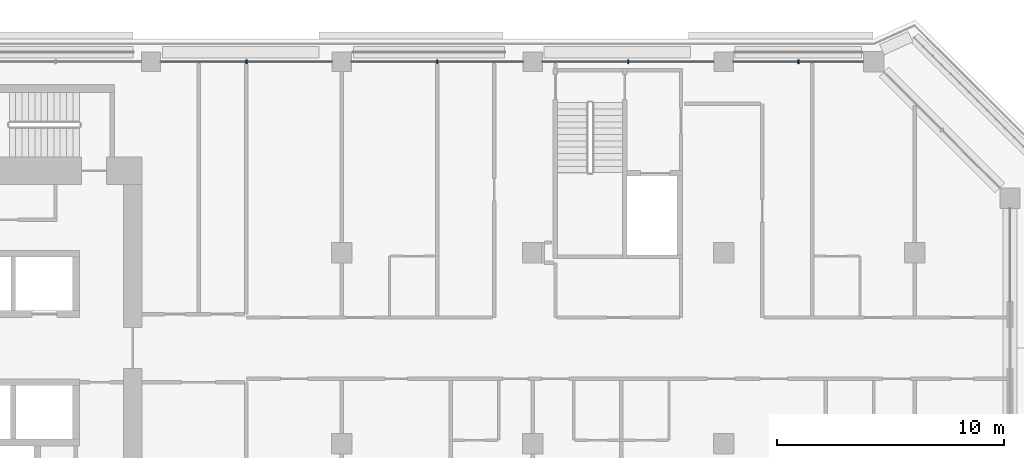
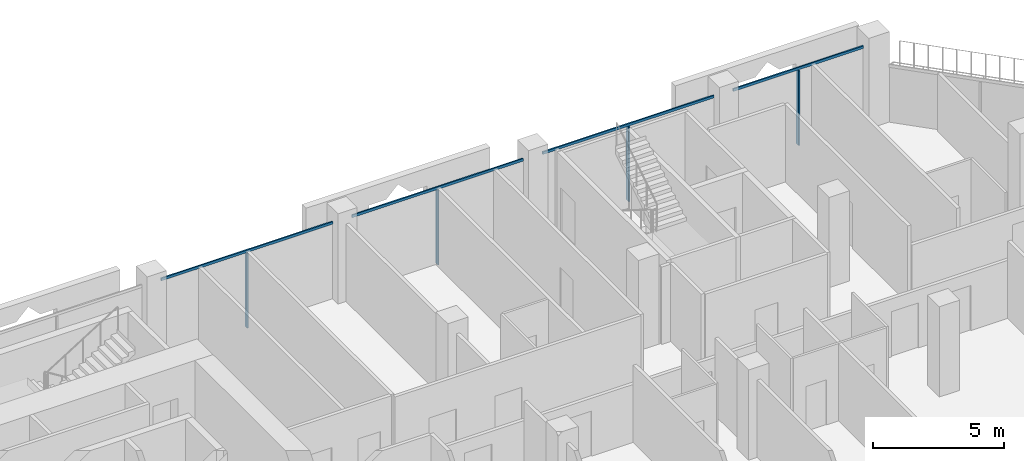
# One storey, part 6 of 22: 8 members, 1 element without a shape of its own.
"""IFC4 building model written with IfcOpenShell, lengths in metres."""

from ifc_helpers import new_model, si_unit, direction, frame, origin, origin_2d, place, context, subcontext, project, spatial, rectangle, extrude, material, layer, layer_set, material_profile, profile_set, type_object, element, aggregate, save


model = new_model("IFC4")

# Units and contexts
model_context = context("Model", 3, precision=1e-05, world=origin(), true_north=direction((0.0, 1.0)))
body_context = subcontext(model_context, "Body", "Model", "MODEL_VIEW")
ifc_project = project(units=[si_unit("LENGTHUNIT", "METRE"), si_unit("AREAUNIT", "SQUARE_METRE"), si_unit("VOLUMEUNIT", "CUBIC_METRE"), si_unit("PLANEANGLEUNIT", "RADIAN"), si_unit("MASSUNIT", "GRAM", prefix="KILO")], contexts=[model_context])

# Site, building, storey
site_placement = place(None, origin())
site = spatial("IfcSite", under=ifc_project, at=site_placement, CompositionType="ELEMENT")
building_placement = place(site_placement, origin())
building = spatial("IfcBuilding", under=site, at=building_placement, Name="Kawkab Arch Medical Tower", CompositionType="ELEMENT")
storey_placement = place(building_placement, frame((0.0, 0.0, 251.60009765625)))
storey = spatial("IfcBuildingStorey", under=building, at=storey_placement, Name="L58", CompositionType="ELEMENT", Elevation=251.60009765625)

# Curtain wall, members
ifc_material_1 = material(Name="Bronze anodised aluminium curtain wall frame", Category="aluminium")
ifc_layer = layer(ifc_material_1, 0.159912109375)
ifc_layer_set = layer_set([ifc_layer], Name="Bronze anodised aluminium curtain wall frame")
curtain_wall_type = type_object("IfcCurtainWallType", Name="CW1 ward curtain wall", PredefinedType="NOTDEFINED", material=ifc_layer_set)
curtain_wall_placement = place(storey_placement, origin())
curtain_wall = element("IfcCurtainWall", 1, at=curtain_wall_placement, inside=storey, type_object=curtain_wall_type, Name="CW1 Ward curtain wall R11", PredefinedType="NOTDEFINED")
ifc_material_2 = material(Name="Bronze anodised aluminium curtain wall frame", Category="aluminium")
ifc_material_profile_1 = material_profile(ifc_material_2, rectangle(XDim=0.179931640625, YDim=0.06005859375, at=origin_2d()), Name="AL 60x180")
ifc_profile_set_1 = profile_set([ifc_material_profile_1], Name="Bronze anodised aluminium curtain wall frame")
member_type_1 = type_object("IfcMemberType", Name="CW1 mullion 60 x 180", PredefinedType="MULLION", material=ifc_profile_set_1)
member_1_placement = place(storey_placement, frame((53.6875, 0.0, 0.0), z_axis=(0.0, 0.0, 1.0), x_axis=(0.0, -1.0, 0.0)))
member_1 = element("IfcMember", 2, at=member_1_placement, type_object=member_type_1, Name="CW1 mullion 1.1", PredefinedType="MULLION", context=body_context, shape_type="SweptSolid", body=[
    extrude(rectangle(XDim=0.179931640625, YDim=0.06005859375, at=origin_2d()), origin(), (0.0, 0.0, 1.0), 3.47998046875),
])
member_2_placement = place(storey_placement, frame((46.199951171875, 0.0, 0.0), z_axis=(0.0, 0.0, 1.0), x_axis=(0.0, -1.0, 0.0)))
member_2 = element("IfcMember", 3, at=member_2_placement, type_object=member_type_1, Name="CW1 mullion 2.1", PredefinedType="MULLION", context=body_context, shape_type="SweptSolid", body=[
    extrude(rectangle(XDim=0.179931640625, YDim=0.06005859375, at=origin_2d()), origin(), (0.0, 0.0, 1.0), 3.47998046875),
])
member_3_placement = place(storey_placement, frame((37.800048828125, 0.0, 0.0), z_axis=(0.0, 0.0, 1.0), x_axis=(0.0, -1.0, 0.0)))
member_3 = element("IfcMember", 4, at=member_3_placement, type_object=member_type_1, Name="CW1 mullion 3.1", PredefinedType="MULLION", context=body_context, shape_type="SweptSolid", body=[
    extrude(rectangle(XDim=0.179931640625, YDim=0.06005859375, at=origin_2d()), origin(), (0.0, 0.0, 1.0), 3.47998046875),
])
member_4_placement = place(storey_placement, frame((29.39990234375, 0.0, 0.0), z_axis=(0.0, 0.0, 1.0), x_axis=(0.0, -1.0, 0.0)))
member_4 = element("IfcMember", 5, at=member_4_placement, type_object=member_type_1, Name="CW1 mullion 4.1", PredefinedType="MULLION", context=body_context, shape_type="SweptSolid", body=[
    extrude(rectangle(XDim=0.179931640625, YDim=0.06005859375, at=origin_2d()), origin(), (0.0, 0.0, 1.0), 3.47998046875),
])
ifc_material_3 = material(Name="Bronze anodised aluminium curtain wall frame", Category="aluminium")
ifc_material_profile_2 = material_profile(ifc_material_3, rectangle(XDim=0.06005859375, YDim=0.1201171875, at=origin_2d()), Name="AL 60x120")
ifc_profile_set_2 = profile_set([ifc_material_profile_2], Name="Bronze anodised aluminium curtain wall frame")
member_type_2 = type_object("IfcMemberType", Name="CW1 transom 120 x 60", PredefinedType="USERDEFINED", material=ifc_profile_set_2)
member_5_placement = place(storey_placement, frame((56.550048828125, 0.0, 3.539794921875), z_axis=(-1.0, 0.0, 0.0), x_axis=(0.0, -1.0, 0.0)))
member_5 = element("IfcMember", 6, at=member_5_placement, type_object=member_type_2, Name="CW1 transom 1", ObjectType="TRANSOM", PredefinedType="USERDEFINED", context=body_context, shape_type="SweptSolid", body=[
    extrude(rectangle(XDim=0.06005859375, YDim=0.1201171875, at=origin_2d()), origin(), (0.0, 0.0, 1.0), 5.72509765625),
])
member_6_placement = place(storey_placement, frame((49.97509765625, 0.0, 3.539794921875), z_axis=(-1.0, 0.0, 0.0), x_axis=(0.0, -1.0, 0.0)))
member_6 = element("IfcMember", 7, at=member_6_placement, type_object=member_type_2, Name="CW1 transom 2", ObjectType="TRANSOM", PredefinedType="USERDEFINED", context=body_context, shape_type="SweptSolid", body=[
    extrude(rectangle(XDim=0.06005859375, YDim=0.1201171875, at=origin_2d()), origin(), (0.0, 0.0, 1.0), 7.550048828125),
])
member_7_placement = place(storey_placement, frame((41.574951171875, 0.0, 3.539794921875), z_axis=(-1.0, 0.0, 0.0), x_axis=(0.0, -1.0, 0.0)))
member_7 = element("IfcMember", 8, at=member_7_placement, type_object=member_type_2, Name="CW1 transom 3", ObjectType="TRANSOM", PredefinedType="USERDEFINED", context=body_context, shape_type="SweptSolid", body=[
    extrude(rectangle(XDim=0.06005859375, YDim=0.1201171875, at=origin_2d()), origin(), (0.0, 0.0, 1.0), 7.550048828125),
])
member_8_placement = place(storey_placement, frame((33.175048828125, 0.0, 3.539794921875), z_axis=(-1.0, 0.0, 0.0), x_axis=(0.0, -1.0, 0.0)))
member_8 = element("IfcMember", 9, at=member_8_placement, type_object=member_type_2, Name="CW1 transom 4", ObjectType="TRANSOM", PredefinedType="USERDEFINED", context=body_context, shape_type="SweptSolid", body=[
    extrude(rectangle(XDim=0.06005859375, YDim=0.1201171875, at=origin_2d()), origin(), (0.0, 0.0, 1.0), 7.550048828125),
])
aggregate(curtain_wall, [member_5, member_1, member_6, member_2, member_7, member_3, member_8, member_4])

save(model, "model.ifc")
